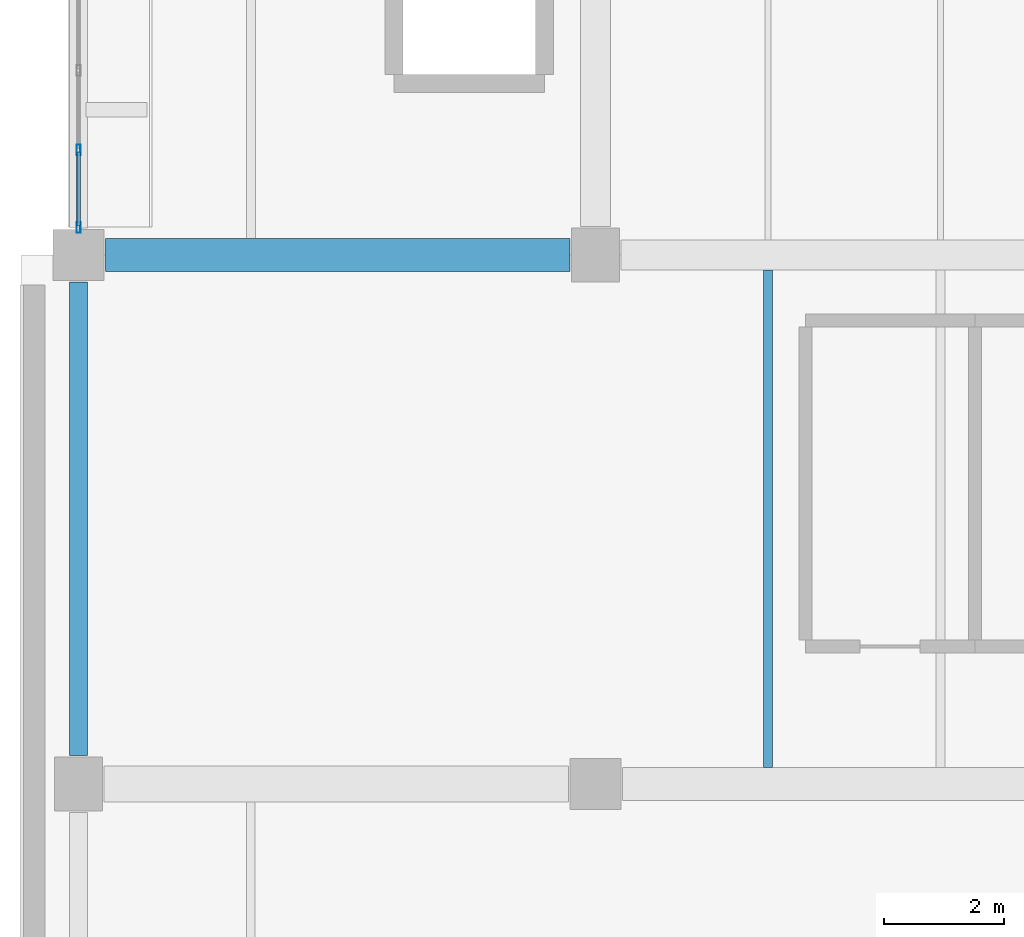
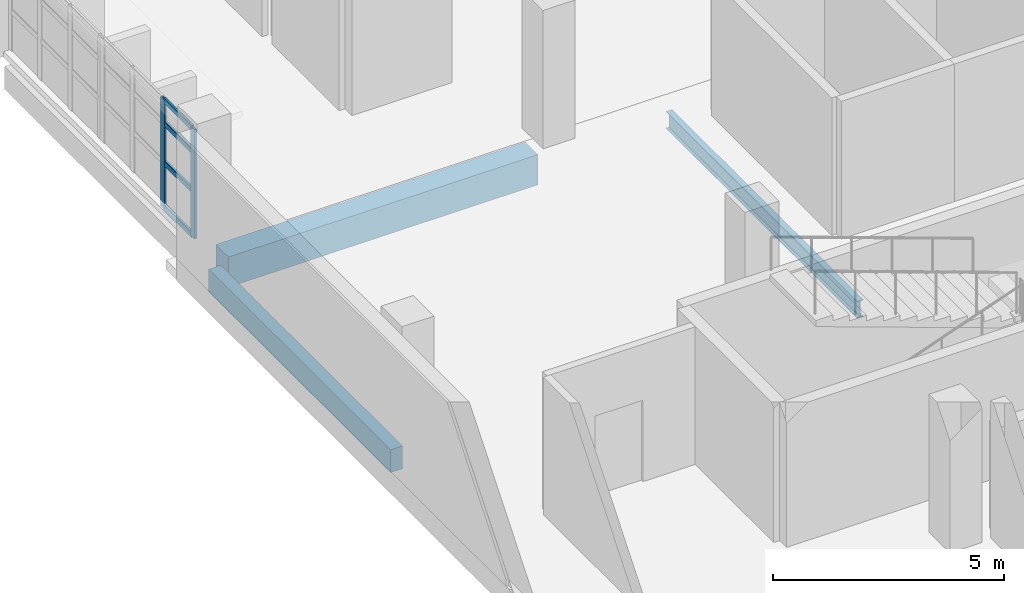
# One storey, part 12 of 80: 6 members, 3 beams, 1 element without a shape of its own.
"""IFC4 building model written with IfcOpenShell, lengths in metres."""

from ifc_helpers import new_model, si_unit, direction, frame, origin, origin_2d, place, context, subcontext, project, spatial, rectangle, hollow_rectangle, i_section, extrude, material, material_profile, profile_set, type_object, element, aggregate, save


model = new_model("IFC4")

# Units and contexts
model_context = context("Model", 3, precision=1e-05, world=origin(), true_north=direction((0.0, 1.0)))
body_context = subcontext(model_context, "Body", "Model", "MODEL_VIEW")
ifc_project = project(units=[si_unit("LENGTHUNIT", "METRE"), si_unit("AREAUNIT", "SQUARE_METRE"), si_unit("VOLUMEUNIT", "CUBIC_METRE"), si_unit("PLANEANGLEUNIT", "RADIAN"), si_unit("MASSUNIT", "GRAM", prefix="KILO")], contexts=[model_context])

# Site, building, storey
site_placement = place(None, origin())
site = spatial("IfcSite", under=ifc_project, at=site_placement, CompositionType="ELEMENT")
building_placement = place(site_placement, origin())
building = spatial("IfcBuilding", under=site, at=building_placement, Name="Varnakota Cinema and Media Centre", CompositionType="ELEMENT")
storey_placement = place(building_placement, frame((0.0, 0.0, 4.5)))
storey = spatial("IfcBuildingStorey", under=building, at=storey_placement, Name="L01", CompositionType="ELEMENT", Elevation=4.5)

# Beams
ifc_material_1 = material(Name="Concrete M35", Category="concrete")
ifc_material_profile_1 = material_profile(ifc_material_1, rectangle(XDim=0.550048828125, YDim=0.800048828125, at=origin_2d()), Name="RCB 550x800")
ifc_profile_set_1 = profile_set([ifc_material_profile_1], Name="Concrete M35")
beam_type_1 = type_object("IfcBeamType", Name="BM-RC-550x800", PredefinedType="BEAM", material=ifc_profile_set_1)
beam_1_placement = place(storey_placement, frame((0.449951171875, 35.199951171875, -0.64990234375), z_axis=(1.0, 0.0, 0.0), x_axis=(0.0, 1.0, 0.0)))
element("IfcBeam", 1, at=beam_1_placement, inside=storey, type_object=beam_type_1, Name="L01 girder A-B/5", PredefinedType="BEAM", context=body_context, shape_type="SweptSolid", body=[
    extrude(rectangle(XDim=0.550048828125, YDim=0.800048828125, at=origin_2d()), origin(), (0.0, 0.0, 1.0), 7.72509765625),
])
ifc_material_2 = material(Name="Concrete M35", Category="concrete")
ifc_material_profile_2 = material_profile(ifc_material_2, rectangle(XDim=0.300048828125, YDim=0.60009765625, at=origin_2d()), Name="RCB 300x600")
ifc_profile_set_2 = profile_set([ifc_material_profile_2], Name="Concrete M35")
beam_type_2 = type_object("IfcBeamType", Name="BM-SP-300x600", PredefinedType="SPANDREL", material=ifc_profile_set_2)
beam_2_placement = place(storey_placement, frame((0.0, 26.875, -0.550048828125), z_axis=(0.0, 1.0, 0.0), x_axis=(-1.0, 0.0, 0.0)))
element("IfcBeam", 2, at=beam_2_placement, inside=storey, type_object=beam_type_2, Name="L01 girder A/4-5", PredefinedType="SPANDREL", context=body_context, shape_type="SweptSolid", body=[
    extrude(rectangle(XDim=0.300048828125, YDim=0.60009765625, at=origin_2d()), origin(), (0.0, 0.0, 1.0), 7.875),
])
ifc_material_3 = material(Name="Structural steel Grade 350 (E350)", Category="steel")
ifc_material_profile_3 = material_profile(ifc_material_3, i_section(OverallWidth=0.14990234375, OverallDepth=0.449951171875, WebThickness=0.009521484375, FlangeThickness=0.017333984375, FilletRadius=0.014892578125, at=origin_2d()), Name="ISMB 450")
ifc_profile_set_3 = profile_set([ifc_material_profile_3], Name="Structural steel Grade 350 (E350)")
beam_type_3 = type_object("IfcBeamType", Name="BM-ST-ISMB450", PredefinedType="BEAM", material=ifc_profile_set_3)
beam_3_placement = place(storey_placement, frame((11.466796875, 26.675048828125, -0.47509765625), z_axis=(0.0, 1.0, 0.0), x_axis=(-1.0, 0.0, 0.0)))
element("IfcBeam", 3, at=beam_3_placement, inside=storey, type_object=beam_type_3, Name="L01 steel joist B-C/4-5 #1", PredefinedType="BEAM", context=body_context, shape_type="SweptSolid", body=[
    extrude(i_section(OverallWidth=0.14990234375, OverallDepth=0.449951171875, WebThickness=0.009521484375, FlangeThickness=0.017333984375, FilletRadius=0.014892578125, at=origin_2d()), origin(), (0.0, 0.0, 1.0), 8.27490234375),
])

# Curtain wall, members
ifc_material_4 = material(Name="Thermally broken anodised aluminium AW-6063", Category="aluminium")
curtain_wall_type = type_object("IfcCurtainWallType", Name="CW-STD-397x288", PredefinedType="USERDEFINED", material=ifc_material_4)
curtain_wall_placement = place(storey_placement, origin())
curtain_wall = element("IfcCurtainWall", 4, at=curtain_wall_placement, inside=storey, type_object=curtain_wall_type, Name="L01 curtain wall CW-L01-V5-W-05-2", ObjectType="UNITISED CURTAIN WALL", PredefinedType="USERDEFINED")
ifc_material_5 = material(Name="Thermally broken anodised aluminium AW-6063", Category="aluminium")
ifc_material_profile_4 = material_profile(ifc_material_5, hollow_rectangle(XDim=0.06494140625, YDim=0.179931640625, WallThickness=0.00390625, InnerFilletRadius=0.00390625, OuterFilletRadius=0.008056640625, at=origin_2d()), Name="AL-MULLION 180x65x4")
ifc_profile_set_4 = profile_set([ifc_material_profile_4], Name="Thermally broken anodised aluminium AW-6063")
member_type_1 = type_object("IfcMemberType", Name="CWM-AL-180", PredefinedType="MULLION", material=ifc_profile_set_4)
member_1_placement = place(storey_placement, frame((0.0, 36.947509765625, 0.0), z_axis=(0.0, 0.0, 1.0), x_axis=(1.0, 0.0, 0.0)))
member_1 = element("IfcMember", 5, at=member_1_placement, type_object=member_type_1, Name="CW28 mullion 3", PredefinedType="MULLION", context=body_context, shape_type="SweptSolid", body=[
    extrude(hollow_rectangle(XDim=0.06494140625, YDim=0.179931640625, WallThickness=0.00390625, InnerFilletRadius=0.00390625, OuterFilletRadius=0.008056640625, at=origin_2d()), origin(), (0.0, 0.0, 1.0), 2.885009765625),
])
member_2_placement = place(storey_placement, frame((0.0, 35.657470703125, 0.0), z_axis=(0.0, 0.0, 1.0), x_axis=(1.0, 0.0, 0.0)))
member_2 = element("IfcMember", 6, at=member_2_placement, type_object=member_type_1, Name="CW28 mullion 4", PredefinedType="MULLION", context=body_context, shape_type="SweptSolid", body=[
    extrude(hollow_rectangle(XDim=0.06494140625, YDim=0.179931640625, WallThickness=0.00390625, InnerFilletRadius=0.00390625, OuterFilletRadius=0.008056640625, at=origin_2d()), origin(), (0.0, 0.0, 1.0), 2.885009765625),
])
ifc_material_6 = material(Name="Thermally broken anodised aluminium AW-6063", Category="aluminium")
ifc_material_profile_5 = material_profile(ifc_material_6, hollow_rectangle(XDim=0.06494140625, YDim=0.139892578125, WallThickness=0.00390625, InnerFilletRadius=0.00390625, OuterFilletRadius=0.008056640625, at=origin_2d()), Name="AL-TRANSOM 140x65x4")
ifc_profile_set_5 = profile_set([ifc_material_profile_5], Name="Thermally broken anodised aluminium AW-6063")
member_type_2 = type_object("IfcMemberType", Name="CWT-AL-140", PredefinedType="USERDEFINED", material=ifc_profile_set_5)
member_3_placement = place(storey_placement, frame((0.0, 36.9150390625, 0.032470703125), z_axis=(0.0, -1.0, 0.0), x_axis=(1.0, 0.0, 0.0)))
member_3 = element("IfcMember", 7, at=member_3_placement, type_object=member_type_2, Name="CW28 transom 3.1", ObjectType="TRANSOM", PredefinedType="USERDEFINED", context=body_context, shape_type="SweptSolid", body=[
    extrude(hollow_rectangle(XDim=0.06494140625, YDim=0.139892578125, WallThickness=0.00390625, InnerFilletRadius=0.00390625, OuterFilletRadius=0.008056640625, at=origin_2d()), origin(), (0.0, 0.0, 1.0), 1.22509765625),
])
member_4_placement = place(storey_placement, frame((0.0, 36.9150390625, 1.211669921875), z_axis=(0.0, -1.0, 0.0), x_axis=(1.0, 0.0, 0.0)))
member_4 = element("IfcMember", 8, at=member_4_placement, type_object=member_type_2, Name="CW28 transom 3.2", ObjectType="TRANSOM", PredefinedType="USERDEFINED", context=body_context, shape_type="SweptSolid", body=[
    extrude(hollow_rectangle(XDim=0.06494140625, YDim=0.139892578125, WallThickness=0.00390625, InnerFilletRadius=0.00390625, OuterFilletRadius=0.008056640625, at=origin_2d()), origin(), (0.0, 0.0, 1.0), 1.22509765625),
])
member_5_placement = place(storey_placement, frame((0.0, 36.9150390625, 2.250244140625), z_axis=(0.0, -1.0, 0.0), x_axis=(1.0, 0.0, 0.0)))
member_5 = element("IfcMember", 9, at=member_5_placement, type_object=member_type_2, Name="CW28 transom 3.3", ObjectType="TRANSOM", PredefinedType="USERDEFINED", context=body_context, shape_type="SweptSolid", body=[
    extrude(hollow_rectangle(XDim=0.06494140625, YDim=0.139892578125, WallThickness=0.00390625, InnerFilletRadius=0.00390625, OuterFilletRadius=0.008056640625, at=origin_2d()), origin(), (0.0, 0.0, 1.0), 1.22509765625),
])
member_6_placement = place(storey_placement, frame((0.0, 36.9150390625, 2.8525390625), z_axis=(0.0, -1.0, 0.0), x_axis=(1.0, 0.0, 0.0)))
member_6 = element("IfcMember", 10, at=member_6_placement, type_object=member_type_2, Name="CW28 transom 3.4", ObjectType="TRANSOM", PredefinedType="USERDEFINED", context=body_context, shape_type="SweptSolid", body=[
    extrude(hollow_rectangle(XDim=0.06494140625, YDim=0.139892578125, WallThickness=0.00390625, InnerFilletRadius=0.00390625, OuterFilletRadius=0.008056640625, at=origin_2d()), origin(), (0.0, 0.0, 1.0), 1.22509765625),
])
aggregate(curtain_wall, [member_1, member_2, member_3, member_4, member_5, member_6])

save(model, "model.ifc")
